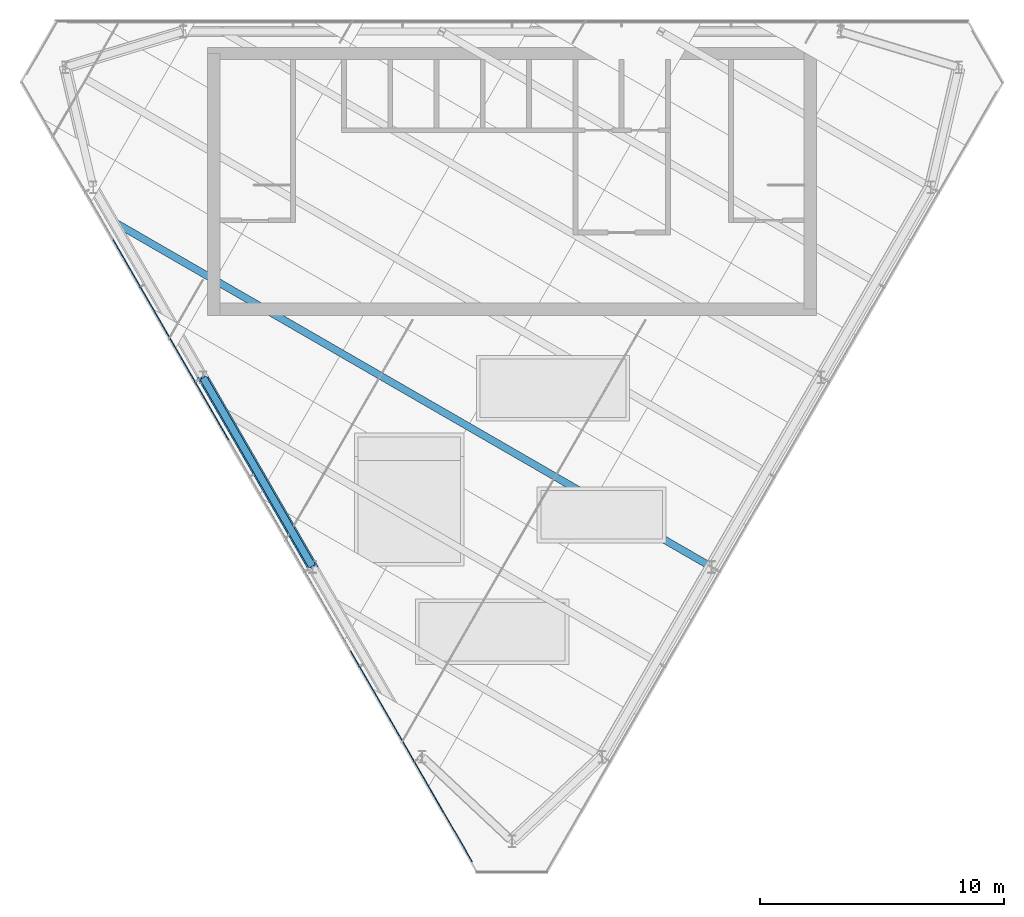
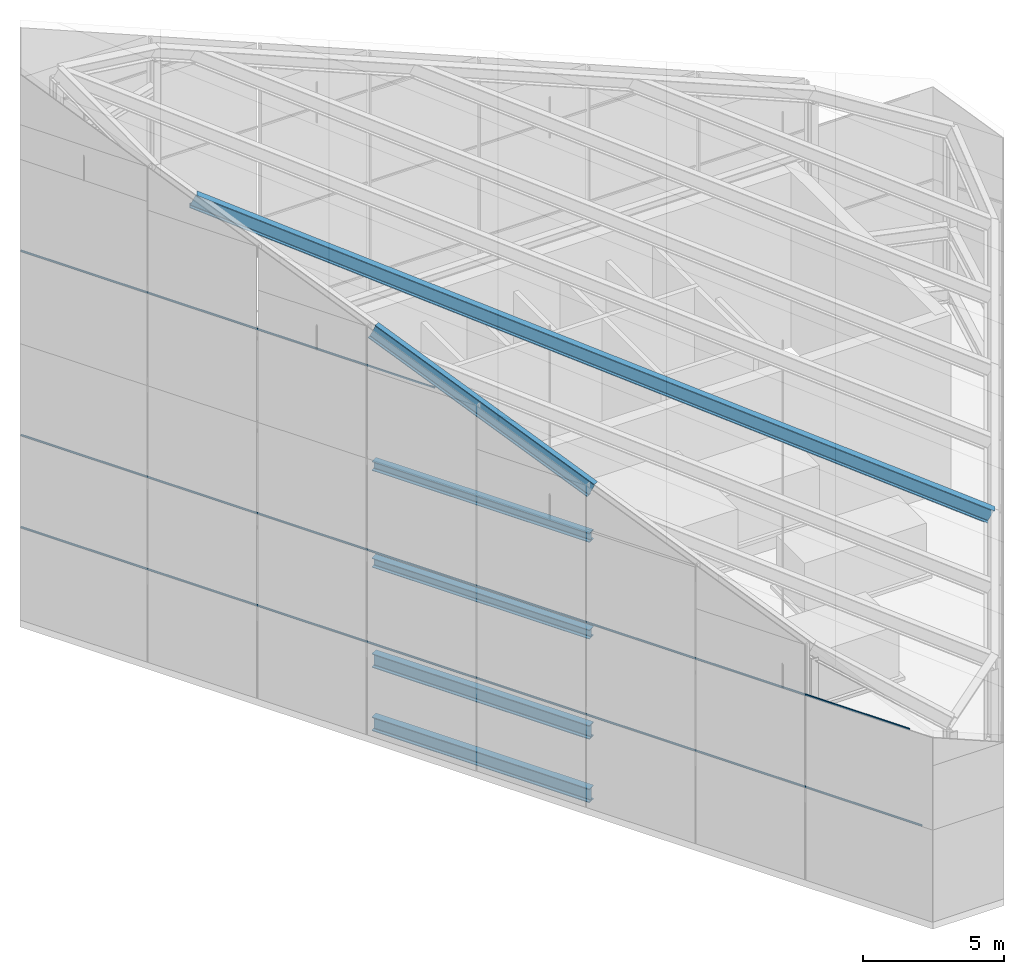
# One storey, part 3 of 16: 5 members, 4 beams, 1 element without a shape of its own.
"""IFC4 building model written with IfcOpenShell, lengths in metres."""

import ifcopenshell
import ifcopenshell.guid

model = None  # the IFC model being written
_history = None  # IfcOwnerHistory: only IFC2X3 demands one
_inside = {}  # id of a spatial element -> (the spatial element, [elements in it])
_under = {}  # id of a project, library or spatial element -> (it, [spatial elements below it])
_declared = {}  # id of a project -> (the project, [libraries it declares])
_typed = {}  # id of a type object -> (the type object, [elements of that type])
_made_of = {}  # id of a material, layer set ... -> (it, [elements and type objects made of it])


def new_model(schema):
    """Start an empty IFC model of exactly this schema.

    Asked for "IFC4X3", IfcOpenShell would pick the latest addendum, in which some entities
    have other attributes; the version numbers below select the first issue.
    IFC2X3 requires an IfcOwnerHistory on every rooted entity: one is made here for all.
    """
    global model, _history
    if schema == "IFC4X3":
        model = ifcopenshell.file(schema_version=(4, 3, 0, 0))
    else:
        model = ifcopenshell.file(schema=schema)
    _inside.clear()
    _under.clear()
    _declared.clear()
    _typed.clear()
    _made_of.clear()
    _history = None
    if model.schema == "IFC2X3":
        org = make("IfcOrganization", Name="unknown")
        user = make(
            "IfcPersonAndOrganization",
            ThePerson=make("IfcPerson", FamilyName="unknown"),
            TheOrganization=org,
        )
        app = make(
            "IfcApplication",
            ApplicationDeveloper=org,
            Version="unknown",
            ApplicationFullName="unknown",
            ApplicationIdentifier="unknown",
        )
        _history = make(
            "IfcOwnerHistory",
            OwningUser=user,
            OwningApplication=app,
            ChangeAction="ADDED",
            CreationDate=0,
        )
    return model


def make(cls, **values):
    """One entity of the class cls with the attributes given. An attribute that is None is left unset."""
    return model.create_entity(
        cls, **{name: value for name, value in values.items() if value is not None}
    )


def rooted(cls, **values):
    """An entity with a GlobalId (a new one), such as an element, a storey or a relation."""
    return make(cls, GlobalId=ifcopenshell.guid.new(), OwnerHistory=_history, **values)


def si_unit(unit_type, name, prefix=None):
    """IfcSIUnit, for example si_unit("LENGTHUNIT", "METRE", prefix="MILLI")."""
    return make("IfcSIUnit", UnitType=unit_type, Prefix=prefix, Name=name)


def assignment(units):
    """IfcUnitAssignment: the units of a project."""
    return None if units is None else make("IfcUnitAssignment", Units=units)


def point(xyz):
    """IfcCartesianPoint."""
    return None if xyz is None else make("IfcCartesianPoint", Coordinates=xyz)


def direction(xyz):
    """IfcDirection."""
    return None if xyz is None else make("IfcDirection", DirectionRatios=xyz)


def frame(location, z_axis=None, x_axis=None):
    """IfcAxis2Placement3D, a coordinate frame: its origin and axes. An axis left out is left unset."""
    return make(
        "IfcAxis2Placement3D",
        Location=point(location),
        Axis=direction(z_axis),
        RefDirection=direction(x_axis),
    )


def frame_2d(location, x_axis=None):
    """IfcAxis2Placement2D, a coordinate frame in the plane: its origin and x axis."""
    return make(
        "IfcAxis2Placement2D", Location=point(location), RefDirection=direction(x_axis)
    )


def origin():
    """The frame at (0, 0, 0) with its axes left unset."""
    return frame((0.0, 0.0, 0.0))


def origin_2d():
    """The frame at (0, 0) in the plane with its x axis left unset."""
    return frame_2d((0.0, 0.0))


def place(relative_to, where):
    """IfcLocalPlacement: puts the frame where relative to a parent placement (None: the world)."""
    return make(
        "IfcLocalPlacement", PlacementRelTo=relative_to, RelativePlacement=where
    )


def context(
    kind, dimensions, precision=None, world=None, true_north=None, identifier=None
):
    """IfcGeometricRepresentationContext, for example the 3D "Model" context."""
    return make(
        "IfcGeometricRepresentationContext",
        ContextIdentifier=identifier,
        ContextType=kind,
        CoordinateSpaceDimension=dimensions,
        Precision=precision,
        WorldCoordinateSystem=world,
        TrueNorth=true_north,
    )


def subcontext(parent, identifier, kind, view, scale=None):
    """IfcGeometricRepresentationSubContext, for example "Body" below "Model"."""
    return make(
        "IfcGeometricRepresentationSubContext",
        ContextIdentifier=identifier,
        ContextType=kind,
        ParentContext=parent,
        TargetScale=scale,
        TargetView=view,
    )


def project(units=None, contexts=None):
    """IfcProject with its units and contexts."""
    return rooted(
        "IfcProject",
        Name="project",
        RepresentationContexts=contexts,
        UnitsInContext=assignment(units),
    )


def spatial(cls, under=None, at=None, **own):
    """A site, building, storey or space (cls), placed at a placement, below another one or the project."""
    s = rooted(cls, ObjectPlacement=at, **own)
    if under is not None:
        _under.setdefault(under.id(), (under, []))[1].append(s)
    return s


def profile(cls, at=None, kind="AREA", **sizes):
    """A parametric profile (cls). Its sizes go by their IFC names, for example OverallWidth=200.0."""
    return make(cls, ProfileType=kind, Position=at, **sizes)


def rectangle(**sizes):
    """IfcRectangleProfileDef."""
    return profile("IfcRectangleProfileDef", **sizes)


def i_section(**sizes):
    """IfcIShapeProfileDef."""
    return profile("IfcIShapeProfileDef", **sizes)


def extrude(swept, where, along, depth):
    """IfcExtrudedAreaSolid: the profile swept, set in the frame where, extruded along a direction by depth."""
    return make(
        "IfcExtrudedAreaSolid",
        SweptArea=swept,
        Position=where,
        ExtrudedDirection=direction(along),
        Depth=depth,
    )


def shape(context_of_items, identifier, shape_type, items):
    """IfcShapeRepresentation: the items that make up one representation, for example the "Body"."""
    return make(
        "IfcShapeRepresentation",
        ContextOfItems=context_of_items,
        RepresentationIdentifier=identifier,
        RepresentationType=shape_type,
        Items=items,
    )


def material(Name=None, Category=None):
    """IfcMaterial."""
    return make("IfcMaterial", Name=Name, Category=Category)


def layer(
    of_material, thickness, ventilated=None, Name=None, Category=None, Priority=None
):
    """IfcMaterialLayer: one layer of a wall or slab, of a material (None: an air gap)."""
    return make(
        "IfcMaterialLayer",
        Material=of_material,
        LayerThickness=thickness,
        IsVentilated=ventilated,
        Name=Name,
        Category=Category,
        Priority=Priority,
    )


def layer_set(layers, Name=None):
    """IfcMaterialLayerSet."""
    return make("IfcMaterialLayerSet", MaterialLayers=layers, LayerSetName=Name)


def material_profile(
    of_material, cross_section, Name=None, Category=None, Priority=None
):
    """IfcMaterialProfile: a cross section and its material."""
    return make(
        "IfcMaterialProfile",
        Name=Name,
        Material=of_material,
        Profile=cross_section,
        Priority=Priority,
        Category=Category,
    )


def profile_set(profiles, Name=None, composite=None):
    """IfcMaterialProfileSet."""
    return make(
        "IfcMaterialProfileSet",
        Name=Name,
        MaterialProfiles=profiles,
        CompositeProfile=composite,
    )


def made_of(thing, what):
    """Note that an element or type object is made of a material, layer set ...; save() writes the relation."""
    if what is not None:
        _made_of.setdefault(what.id(), (what, []))[1].append(thing)
    return thing


def type_object(cls, material=None, **own):
    """A type object (cls), such as IfcWallType, which elements share."""
    return made_of(rooted(cls, **own), material)


def element(
    cls,
    number,
    at=None,
    inside=None,
    cuts=None,
    type_object=None,
    material=None,
    context=None,
    identifier="Body",
    shape_type=None,
    held_by="IfcProductDefinitionShape",
    body=None,
    shapes=None,
    **own,
):
    """One element of the class cls, such as IfcWall. Its Tag is "e" and its number.

    at: its placement. inside: the storey or other place that contains it. cuts: it is an
    opening in that element (IfcRelVoidsElement). A single representation is given by context,
    identifier, shape_type and body (its items); several are given by shapes. held_by: the class
    of the entity that holds the representations. save() writes the other relations.
    """
    e = rooted(cls, Tag="e%d" % number, ObjectPlacement=at, **own)
    if body is not None:
        shapes = [shape(context, identifier, shape_type, body)]
    if shapes is not None:
        e.Representation = make(held_by, Representations=shapes)
    if inside is not None:
        _inside.setdefault(inside.id(), (inside, []))[1].append(e)
    if cuts is not None:
        rooted(
            "IfcRelVoidsElement", RelatingBuildingElement=cuts, RelatedOpeningElement=e
        )
    if type_object is not None:
        _typed.setdefault(type_object.id(), (type_object, []))[1].append(e)
    return made_of(e, material)


def aggregate(whole, parts):
    """IfcRelAggregates: a whole, such as a stair, and the parts it consists of."""
    return rooted("IfcRelAggregates", RelatingObject=whole, RelatedObjects=parts)


def save(model, path):
    """Write the relations noted so far, then the file.

    IfcRelAggregates (storeys below a building ...), IfcRelContainedInSpatialStructure (elements
    in a storey), IfcRelDefinesByType, IfcRelAssociatesMaterial and IfcRelDeclares: one each for
    every whole, place, type object, material and project.
    """
    for whole, parts in _under.values():
        aggregate(whole, parts)
    for where, things in _inside.values():
        rooted(
            "IfcRelContainedInSpatialStructure",
            RelatedElements=things,
            RelatingStructure=where,
        )
    for kind, things in _typed.values():
        rooted("IfcRelDefinesByType", RelatedObjects=things, RelatingType=kind)
    for what, things in _made_of.values():
        rooted("IfcRelAssociatesMaterial", RelatedObjects=things, RelatingMaterial=what)
    for by, libraries in _declared.values():
        rooted("IfcRelDeclares", RelatingContext=by, RelatedDefinitions=libraries)
    model.write(path)


model = new_model("IFC4")

# Units and contexts
model_context = context("Model", 3, precision=1e-05, world=origin(), true_north=direction((0.0, 1.0)))
body_context = subcontext(model_context, "Body", "Model", "MODEL_VIEW")
ifc_project = project(units=[si_unit("LENGTHUNIT", "METRE"), si_unit("AREAUNIT", "SQUARE_METRE"), si_unit("VOLUMEUNIT", "CUBIC_METRE"), si_unit("PLANEANGLEUNIT", "RADIAN"), si_unit("MASSUNIT", "GRAM", prefix="KILO")], contexts=[model_context])

# Site, building, storey
site_placement = place(None, origin())
site = spatial("IfcSite", under=ifc_project, at=site_placement, CompositionType="ELEMENT")
building_placement = place(site_placement, origin())
building = spatial("IfcBuilding", under=site, at=building_placement, Name="Altiplano Prism Tower", CompositionType="ELEMENT")
storey_placement = place(building_placement, frame((0.0, 0.0, 358.0)))
storey = spatial("IfcBuildingStorey", under=building, at=storey_placement, Name="Crown", CompositionType="ELEMENT", Elevation=358.0)

# Curtain wall, members
ifc_material_1 = material(Name="Aluminium and glass", Category="aluminium")
ifc_layer = layer(ifc_material_1, 0.25)
ifc_layer_set = layer_set([ifc_layer], Name="Aluminium and glass")
curtain_wall_type = type_object("IfcCurtainWallType", Name="CW5 crown glazing", PredefinedType="NOTDEFINED", material=ifc_layer_set)
curtain_wall_placement = place(storey_placement, origin())
curtain_wall = element("IfcCurtainWall", 1, at=curtain_wall_placement, inside=storey, type_object=curtain_wall_type, Name="CW5 crown glazing face 2", PredefinedType="NOTDEFINED")
ifc_material_2 = material(Name="Aluminium", Category="aluminium")
ifc_material_profile_1 = material_profile(ifc_material_2, rectangle(XDim=0.050048828125, YDim=0.06005859375, at=origin_2d()), Name="CW5 transom 60 x 50")
ifc_profile_set_1 = profile_set([ifc_material_profile_1], Name="Aluminium")
member_type_1 = type_object("IfcMemberType", Name="CW5 transom 60 x 50", PredefinedType="USERDEFINED", material=ifc_profile_set_1)
member_1_placement = place(storey_placement, frame((64.85400390625, 102.5009765625, 4.0), z_axis=(0.500002520035, -0.866023948837, 0.0), x_axis=(0.866023948837, 0.500002520035, 0.0)))
member_1 = element("IfcMember", 2, at=member_1_placement, type_object=member_type_1, Name="CW5 transom", ObjectType="TRANSOM", PredefinedType="USERDEFINED", context=body_context, shape_type="SweptSolid", body=[
    extrude(rectangle(XDim=0.050048828125, YDim=0.06005859375, at=origin_2d()), origin(), (0.0, 0.0, 1.0), 36.999755859375),
])
member_2_placement = place(storey_placement, frame((64.85400390625, 102.5009765625, 8.0), z_axis=(0.500000758745, -0.866024965723, 0.0), x_axis=(0.866024965723, 0.500000758745, 0.0)))
member_2 = element("IfcMember", 3, at=member_2_placement, type_object=member_type_1, Name="CW5 transom", ObjectType="TRANSOM", PredefinedType="USERDEFINED", context=body_context, shape_type="SweptSolid", body=[
    extrude(rectangle(XDim=0.050048828125, YDim=0.06005859375, at=origin_2d()), origin(), (0.0, 0.0, 1.0), 36.5),
])
member_3_placement = place(storey_placement, frame((64.85400390625, 102.5009765625, 16.0), z_axis=(0.500000503186, -0.86602511327, 0.0), x_axis=(0.86602511327, 0.500000503186, 0.0)))
member_3 = element("IfcMember", 4, at=member_3_placement, type_object=member_type_1, Name="CW5 transom", ObjectType="TRANSOM", PredefinedType="USERDEFINED", context=body_context, shape_type="SweptSolid", body=[
    extrude(rectangle(XDim=0.050048828125, YDim=0.06005859375, at=origin_2d()), origin(), (0.0, 0.0, 1.0), 17.0),
])
aggregate(curtain_wall, [member_1, member_2, member_3])

# Members
ifc_material_3 = material(Name="Steel S355", Category="steel")
ifc_material_profile_2 = material_profile(ifc_material_3, i_section(OverallWidth=0.300048828125, OverallDepth=0.60009765625, WebThickness=0.015380859375, FlangeThickness=0.030029296875, FilletRadius=0.027099609375, at=origin_2d()), Name="Crown base chord HEB 600")
ifc_profile_set_2 = profile_set([ifc_material_profile_2], Name="Steel S355")
member_type_2 = type_object("IfcMemberType", Name="Crown base chord HEB 600", PredefinedType="CHORD", material=ifc_profile_set_2)
for number, where, z_axis, x_axis, name in (
    (5, (72.32275390625, 90.334716796875, 0.300048828125), (0.500001398157, -0.866024596557, 0.0), (0.866024596557, 0.500001398157, 0.0), "Crown base ring chord b7"),
    (6, (72.32275390625, 90.334716796875, 3.050048828125), (0.500001398157, -0.866024596557, 0.0), (0.866024596557, 0.500001398157, 0.0), "Crown base ring chord t7"),
):
    element("IfcMember", number, at=place(storey_placement, frame(where, z_axis=z_axis, x_axis=x_axis)), inside=storey, type_object=member_type_2, Name=name, PredefinedType="CHORD", context=body_context, shape_type="SweptSolid", body=[
        extrude(i_section(OverallWidth=0.300048828125, OverallDepth=0.60009765625, WebThickness=0.015380859375, FlangeThickness=0.030029296875, FilletRadius=0.027099609375, at=origin_2d()), origin(), (0.0, 0.0, 1.0), 8.93994140625),
    ])

# Beams
ifc_material_profile_3 = material_profile(ifc_material_3, i_section(OverallWidth=0.300048828125, OverallDepth=0.60009765625, WebThickness=0.015380859375, FlangeThickness=0.030029296875, FilletRadius=0.027099609375, at=origin_2d()), Name="Crown rafter HEB 600")
ifc_profile_set_3 = profile_set([ifc_material_profile_3], Name="Steel S355")
beam_type_1 = type_object("IfcBeamType", Name="Crown rafter HEB 600", PredefinedType="BEAM", material=ifc_profile_set_3)
beam_1_placement = place(storey_placement, frame((72.307861328125, 90.360595703125, 17.30126953125), z_axis=(0.461277408259, -0.798951891204, -0.385874368378), x_axis=(0.803346022717, 0.560704989407, -0.200611770939)))
element("IfcBeam", 7, at=beam_1_placement, inside=storey, type_object=beam_type_1, Name="Crown rafter ring 7", PredefinedType="BEAM", context=body_context, shape_type="SweptSolid", body=[
    extrude(i_section(OverallWidth=0.300048828125, OverallDepth=0.60009765625, WebThickness=0.015380859375, FlangeThickness=0.030029296875, FilletRadius=0.027099609375, at=origin_2d()), origin(), (0.0, 0.0, 1.0), 9.755615234375),
])
beam_2_placement = place(storey_placement, frame((93.192138671875, 82.56640625, 6.683837890625), z_axis=(-0.77983477548, 0.450241364025, 0.434902790371), x_axis=(-0.500002953828, -0.866023698384, 0.0)))
element("IfcBeam", 8, at=beam_2_placement, inside=storey, type_object=beam_type_1, Name="Crown rafter 6", PredefinedType="BEAM", context=body_context, shape_type="SweptSolid", body=[
    extrude(i_section(OverallWidth=0.300048828125, OverallDepth=0.60009765625, WebThickness=0.015380859375, FlangeThickness=0.030029296875, FilletRadius=0.027099609375, at=origin_2d()), origin(), (0.0, 0.0, 1.0), 31.51513671875),
])
ifc_material_profile_4 = material_profile(ifc_material_3, i_section(OverallWidth=0.300048828125, OverallDepth=0.39990234375, WebThickness=0.013427734375, FlangeThickness=0.02392578125, FilletRadius=0.027099609375, at=origin_2d()), Name="Crown ring beam HEB 400")
ifc_profile_set_4 = profile_set([ifc_material_profile_4], Name="Steel S355")
beam_type_2 = type_object("IfcBeamType", Name="Crown ring beam HEB 400", PredefinedType="BEAM", material=ifc_profile_set_4)
for number, where, z_axis, x_axis, name in (
    (9, (72.32275390625, 90.334716796875, 7.300048828125), (0.500001398157, -0.866024596557, 0.0), (0.866024596557, 0.500001398157, 0.0), "Crown ring beam 2.7"),
    (10, (72.32275390625, 90.334716796875, 11.5), (0.500001398157, -0.866024596557, 0.0), (0.866024596557, 0.500001398157, 0.0), "Crown ring beam 3.7"),
):
    element("IfcBeam", number, at=place(storey_placement, frame(where, z_axis=z_axis, x_axis=x_axis)), inside=storey, type_object=beam_type_2, Name=name, PredefinedType="BEAM", context=body_context, shape_type="SweptSolid", body=[
        extrude(i_section(OverallWidth=0.300048828125, OverallDepth=0.39990234375, WebThickness=0.013427734375, FlangeThickness=0.02392578125, FilletRadius=0.027099609375, at=origin_2d()), origin(), (0.0, 0.0, 1.0), 8.93994140625),
    ])

save(model, "model.ifc")
